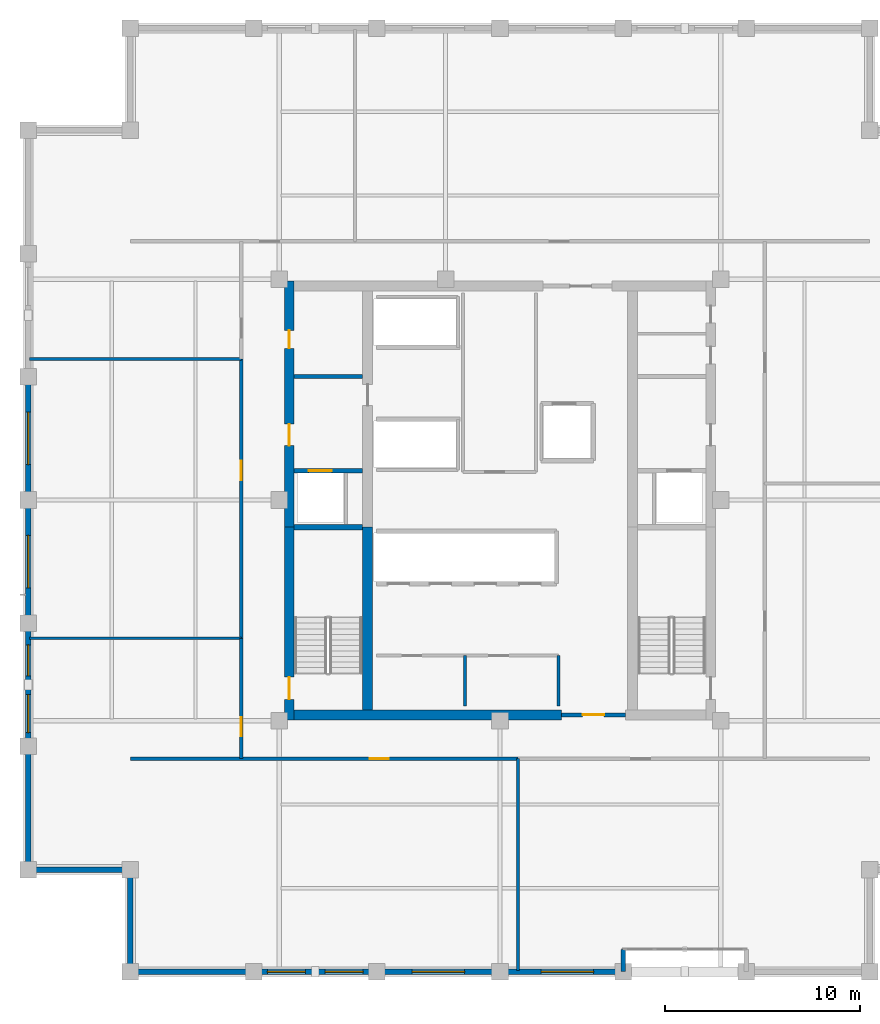
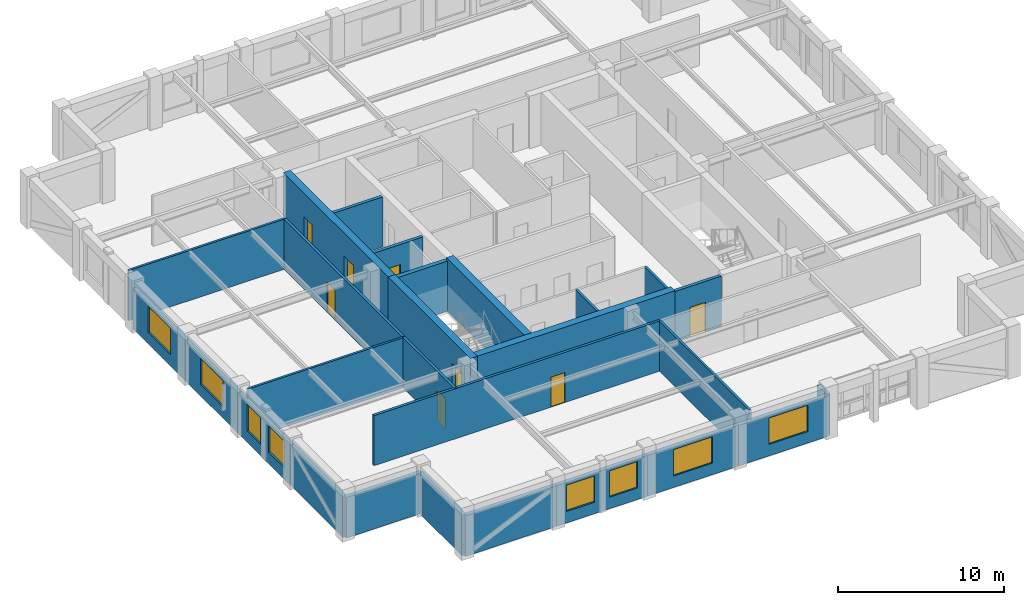
# One storey, part 9 of 13: 27 walls, 8 doors, 8 windows, 16 openings.
"""IFC4 building model written with IfcOpenShell, lengths in metres."""

import ifcopenshell
import ifcopenshell.guid

model = None  # the IFC model being written
_history = None  # IfcOwnerHistory: only IFC2X3 demands one
_inside = {}  # id of a spatial element -> (the spatial element, [elements in it])
_under = {}  # id of a project, library or spatial element -> (it, [spatial elements below it])
_declared = {}  # id of a project -> (the project, [libraries it declares])
_typed = {}  # id of a type object -> (the type object, [elements of that type])
_made_of = {}  # id of a material, layer set ... -> (it, [elements and type objects made of it])


def new_model(schema):
    """Start an empty IFC model of exactly this schema.

    Asked for "IFC4X3", IfcOpenShell would pick the latest addendum, in which some entities
    have other attributes; the version numbers below select the first issue.
    IFC2X3 requires an IfcOwnerHistory on every rooted entity: one is made here for all.
    """
    global model, _history
    if schema == "IFC4X3":
        model = ifcopenshell.file(schema_version=(4, 3, 0, 0))
    else:
        model = ifcopenshell.file(schema=schema)
    _inside.clear()
    _under.clear()
    _declared.clear()
    _typed.clear()
    _made_of.clear()
    _history = None
    if model.schema == "IFC2X3":
        org = make("IfcOrganization", Name="unknown")
        user = make(
            "IfcPersonAndOrganization",
            ThePerson=make("IfcPerson", FamilyName="unknown"),
            TheOrganization=org,
        )
        app = make(
            "IfcApplication",
            ApplicationDeveloper=org,
            Version="unknown",
            ApplicationFullName="unknown",
            ApplicationIdentifier="unknown",
        )
        _history = make(
            "IfcOwnerHistory",
            OwningUser=user,
            OwningApplication=app,
            ChangeAction="ADDED",
            CreationDate=0,
        )
    return model


def make(cls, **values):
    """One entity of the class cls with the attributes given. An attribute that is None is left unset."""
    return model.create_entity(
        cls, **{name: value for name, value in values.items() if value is not None}
    )


def rooted(cls, **values):
    """An entity with a GlobalId (a new one), such as an element, a storey or a relation."""
    return make(cls, GlobalId=ifcopenshell.guid.new(), OwnerHistory=_history, **values)


def si_unit(unit_type, name, prefix=None):
    """IfcSIUnit, for example si_unit("LENGTHUNIT", "METRE", prefix="MILLI")."""
    return make("IfcSIUnit", UnitType=unit_type, Prefix=prefix, Name=name)


def assignment(units):
    """IfcUnitAssignment: the units of a project."""
    return None if units is None else make("IfcUnitAssignment", Units=units)


def point(xyz):
    """IfcCartesianPoint."""
    return None if xyz is None else make("IfcCartesianPoint", Coordinates=xyz)


def direction(xyz):
    """IfcDirection."""
    return None if xyz is None else make("IfcDirection", DirectionRatios=xyz)


def frame(location, z_axis=None, x_axis=None):
    """IfcAxis2Placement3D, a coordinate frame: its origin and axes. An axis left out is left unset."""
    return make(
        "IfcAxis2Placement3D",
        Location=point(location),
        Axis=direction(z_axis),
        RefDirection=direction(x_axis),
    )


def frame_2d(location, x_axis=None):
    """IfcAxis2Placement2D, a coordinate frame in the plane: its origin and x axis."""
    return make(
        "IfcAxis2Placement2D", Location=point(location), RefDirection=direction(x_axis)
    )


def origin():
    """The frame at (0, 0, 0) with its axes left unset."""
    return frame((0.0, 0.0, 0.0))


def place(relative_to, where):
    """IfcLocalPlacement: puts the frame where relative to a parent placement (None: the world)."""
    return make(
        "IfcLocalPlacement", PlacementRelTo=relative_to, RelativePlacement=where
    )


def context(
    kind, dimensions, precision=None, world=None, true_north=None, identifier=None
):
    """IfcGeometricRepresentationContext, for example the 3D "Model" context."""
    return make(
        "IfcGeometricRepresentationContext",
        ContextIdentifier=identifier,
        ContextType=kind,
        CoordinateSpaceDimension=dimensions,
        Precision=precision,
        WorldCoordinateSystem=world,
        TrueNorth=true_north,
    )


def subcontext(parent, identifier, kind, view, scale=None):
    """IfcGeometricRepresentationSubContext, for example "Body" below "Model"."""
    return make(
        "IfcGeometricRepresentationSubContext",
        ContextIdentifier=identifier,
        ContextType=kind,
        ParentContext=parent,
        TargetScale=scale,
        TargetView=view,
    )


def project(units=None, contexts=None):
    """IfcProject with its units and contexts."""
    return rooted(
        "IfcProject",
        Name="project",
        RepresentationContexts=contexts,
        UnitsInContext=assignment(units),
    )


def spatial(cls, under=None, at=None, **own):
    """A site, building, storey or space (cls), placed at a placement, below another one or the project."""
    s = rooted(cls, ObjectPlacement=at, **own)
    if under is not None:
        _under.setdefault(under.id(), (under, []))[1].append(s)
    return s


def profile(cls, at=None, kind="AREA", **sizes):
    """A parametric profile (cls). Its sizes go by their IFC names, for example OverallWidth=200.0."""
    return make(cls, ProfileType=kind, Position=at, **sizes)


def rectangle(**sizes):
    """IfcRectangleProfileDef."""
    return profile("IfcRectangleProfileDef", **sizes)


def extrude(swept, where, along, depth):
    """IfcExtrudedAreaSolid: the profile swept, set in the frame where, extruded along a direction by depth."""
    return make(
        "IfcExtrudedAreaSolid",
        SweptArea=swept,
        Position=where,
        ExtrudedDirection=direction(along),
        Depth=depth,
    )


def shape(context_of_items, identifier, shape_type, items):
    """IfcShapeRepresentation: the items that make up one representation, for example the "Body"."""
    return make(
        "IfcShapeRepresentation",
        ContextOfItems=context_of_items,
        RepresentationIdentifier=identifier,
        RepresentationType=shape_type,
        Items=items,
    )


def material(Name=None, Category=None):
    """IfcMaterial."""
    return make("IfcMaterial", Name=Name, Category=Category)


def layer(
    of_material, thickness, ventilated=None, Name=None, Category=None, Priority=None
):
    """IfcMaterialLayer: one layer of a wall or slab, of a material (None: an air gap)."""
    return make(
        "IfcMaterialLayer",
        Material=of_material,
        LayerThickness=thickness,
        IsVentilated=ventilated,
        Name=Name,
        Category=Category,
        Priority=Priority,
    )


def layer_set(layers, Name=None):
    """IfcMaterialLayerSet."""
    return make("IfcMaterialLayerSet", MaterialLayers=layers, LayerSetName=Name)


def made_of(thing, what):
    """Note that an element or type object is made of a material, layer set ...; save() writes the relation."""
    if what is not None:
        _made_of.setdefault(what.id(), (what, []))[1].append(thing)
    return thing


def type_object(cls, material=None, **own):
    """A type object (cls), such as IfcWallType, which elements share."""
    return made_of(rooted(cls, **own), material)


def element(
    cls,
    number,
    at=None,
    inside=None,
    cuts=None,
    type_object=None,
    material=None,
    context=None,
    identifier="Body",
    shape_type=None,
    held_by="IfcProductDefinitionShape",
    body=None,
    shapes=None,
    **own,
):
    """One element of the class cls, such as IfcWall. Its Tag is "e" and its number.

    at: its placement. inside: the storey or other place that contains it. cuts: it is an
    opening in that element (IfcRelVoidsElement). A single representation is given by context,
    identifier, shape_type and body (its items); several are given by shapes. held_by: the class
    of the entity that holds the representations. save() writes the other relations.
    """
    e = rooted(cls, Tag="e%d" % number, ObjectPlacement=at, **own)
    if body is not None:
        shapes = [shape(context, identifier, shape_type, body)]
    if shapes is not None:
        e.Representation = make(held_by, Representations=shapes)
    if inside is not None:
        _inside.setdefault(inside.id(), (inside, []))[1].append(e)
    if cuts is not None:
        rooted(
            "IfcRelVoidsElement", RelatingBuildingElement=cuts, RelatedOpeningElement=e
        )
    if type_object is not None:
        _typed.setdefault(type_object.id(), (type_object, []))[1].append(e)
    return made_of(e, material)


def fill(opening, filler):
    """IfcRelFillsElement: the door or window that sits in an opening."""
    return rooted(
        "IfcRelFillsElement",
        RelatingOpeningElement=opening,
        RelatedBuildingElement=filler,
    )


def aggregate(whole, parts):
    """IfcRelAggregates: a whole, such as a stair, and the parts it consists of."""
    return rooted("IfcRelAggregates", RelatingObject=whole, RelatedObjects=parts)


def save(model, path):
    """Write the relations noted so far, then the file.

    IfcRelAggregates (storeys below a building ...), IfcRelContainedInSpatialStructure (elements
    in a storey), IfcRelDefinesByType, IfcRelAssociatesMaterial and IfcRelDeclares: one each for
    every whole, place, type object, material and project.
    """
    for whole, parts in _under.values():
        aggregate(whole, parts)
    for where, things in _inside.values():
        rooted(
            "IfcRelContainedInSpatialStructure",
            RelatedElements=things,
            RelatingStructure=where,
        )
    for kind, things in _typed.values():
        rooted("IfcRelDefinesByType", RelatedObjects=things, RelatingType=kind)
    for what, things in _made_of.values():
        rooted("IfcRelAssociatesMaterial", RelatedObjects=things, RelatingMaterial=what)
    for by, libraries in _declared.values():
        rooted("IfcRelDeclares", RelatingContext=by, RelatedDefinitions=libraries)
    model.write(path)


model = new_model("IFC4")

# Units and contexts
model_context = context("Model", 3, precision=1e-05, world=origin(), true_north=direction((0.0, 1.0)))
body_context = subcontext(model_context, "Body", "Model", "MODEL_VIEW")
ifc_project = project(units=[si_unit("LENGTHUNIT", "METRE"), si_unit("AREAUNIT", "SQUARE_METRE"), si_unit("VOLUMEUNIT", "CUBIC_METRE"), si_unit("PLANEANGLEUNIT", "RADIAN"), si_unit("MASSUNIT", "GRAM", prefix="KILO")], contexts=[model_context])

# Site, building, storey
site_placement = place(None, origin())
site = spatial("IfcSite", under=ifc_project, at=site_placement, CompositionType="ELEMENT")
building_placement = place(site_placement, origin())
building = spatial("IfcBuilding", under=site, at=building_placement, Name="Nhamokura Convention Tower", CompositionType="ELEMENT")
storey_placement = place(building_placement, frame((0.0, 0.0, 213.85009765625)))
storey = spatial("IfcBuildingStorey", under=building, at=storey_placement, Name="L52", CompositionType="ELEMENT", Elevation=213.85009765625)

# Walls
ifc_material_1 = material(Name="Bronze-pigmented precast concrete C45/55", Category="concrete")
ifc_layer_1 = layer(ifc_material_1, 0.280029296875)
ifc_layer_set_1 = layer_set([ifc_layer_1], Name="BronzePrecastSpandrel_280")
wall_type_1 = type_object("IfcWallType", Name="BronzePrecastSpandrel_280", PredefinedType="USERDEFINED", material=ifc_layer_set_1)
wall_1_placement = place(storey_placement, frame((38.333251953125, 7.75, 0.0), z_axis=(0.0, 0.0, 1.0), x_axis=(0.0, 1.0, 0.0)))
element("IfcWall", 1, at=wall_1_placement, inside=storey, type_object=wall_type_1, Name="L52 Scale Slot Cheek Wall SOUTHA", ObjectType="SPANDREL_WALL", PredefinedType="USERDEFINED", context=body_context, shape_type="SweptSolid", body=[
    extrude(rectangle(XDim=1.14990234375, YDim=0.239990234375, at=frame_2d((0.574951171875, 0.0))), origin(), (0.0, 0.0, 1.0), 2.98486328125),
])
wall_2_placement = place(storey_placement, frame((19.333251953125, 7.75, 0.0), z_axis=(0.0, 0.0, 1.0), x_axis=(-1.0, 0.0, 0.0)))
element("IfcWall", 2, at=wall_2_placement, inside=storey, type_object=wall_type_1, Name="L52 Braced-Bay Precast Wall SOUTH 0", ObjectType="SPANDREL_WALL", PredefinedType="USERDEFINED", context=body_context, shape_type="SweptSolid", body=[
    extrude(rectangle(XDim=6.333251953125, YDim=0.280029296875, at=frame_2d((3.16650390625, 0.0))), origin(), (0.0, 0.0, 1.0), 2.98486328125),
])

# Wall, openings, windows
wall_3_placement = place(storey_placement, frame((25.666748046875, 7.75, 0.0), z_axis=(0.0, 0.0, 1.0), x_axis=(-1.0, 0.0, 0.0)))
wall_3 = element("IfcWall", 3, at=wall_3_placement, inside=storey, type_object=wall_type_1, Name="L52 Masonry-Frame Wall SOUTH 1", ObjectType="SPANDREL_WALL", PredefinedType="USERDEFINED", context=body_context, shape_type="SweptSolid", body=[
    extrude(rectangle(XDim=6.33349609375, YDim=0.280029296875, at=frame_2d((3.166748046875, 0.0))), origin(), (0.0, 0.0, 1.0), 2.98486328125),
])
opening_1_placement = place(wall_3_placement, frame((0.708251953125, 0.0, 0.85009765625)))
opening_1 = element("IfcOpeningElement", 4, at=opening_1_placement, cuts=wall_3, Name="Opening W-08", PredefinedType="OPENING", context=body_context, shape_type="SweptSolid", body=[
    extrude(rectangle(XDim=1.949951171875, YDim=1.93505859375, at=frame_2d((0.97509765625, 0.967529296875))), frame((0.0, 0.14990234375, 0.0), z_axis=(0.0, -1.0, 0.0), x_axis=(1.0, 0.0, 0.0)), (0.0, 0.0, 1.0), 0.300048828125),
])
opening_2_placement = place(wall_3_placement, frame((3.675048828125, 0.0, 0.85009765625)))
opening_2 = element("IfcOpeningElement", 5, at=opening_2_placement, cuts=wall_3, Name="Opening W-08", PredefinedType="OPENING", context=body_context, shape_type="SweptSolid", body=[
    extrude(rectangle(XDim=1.949951171875, YDim=1.93505859375, at=frame_2d((0.97509765625, 0.967529296875))), frame((0.0, 0.14990234375, 0.0), z_axis=(0.0, -1.0, 0.0), x_axis=(1.0, 0.0, 0.0)), (0.0, 0.0, 1.0), 0.300048828125),
])
ifc_material_2 = material(Name="Solar-control bronze low-E double glass", Category="glass")
window_type_1 = type_object("IfcWindowType", Name="OfficeModuleWindow_Z3_1950", PartitioningType="SINGLE_PANEL", PredefinedType="WINDOW", material=ifc_material_2)
window_1_placement = place(opening_1_placement, origin())
window_1 = element("IfcWindow", 6, at=window_1_placement, inside=storey, type_object=window_type_1, Name="L52 Facade Window SOUTH 1-1", OverallHeight=1.93505859375, OverallWidth=1.949951171875, PartitioningType="SINGLE_PANEL", PredefinedType="WINDOW", context=body_context, shape_type="SweptSolid", body=[
    extrude(rectangle(XDim=1.949951171875, YDim=1.93505859375, at=frame_2d((0.97509765625, 0.967529296875))), frame((0.0, 0.030029296875, 0.0), z_axis=(0.0, -1.0, 0.0), x_axis=(1.0, 0.0, 0.0)), (0.0, 0.0, 1.0), 0.06005859375),
])
fill(opening_1, window_1)
window_2_placement = place(opening_2_placement, origin())
window_2 = element("IfcWindow", 7, at=window_2_placement, inside=storey, type_object=window_type_1, Name="L52 Facade Window SOUTH 1-2", OverallHeight=1.93505859375, OverallWidth=1.949951171875, PartitioningType="SINGLE_PANEL", PredefinedType="WINDOW", context=body_context, shape_type="SweptSolid", body=[
    extrude(rectangle(XDim=1.949951171875, YDim=1.93505859375, at=frame_2d((0.97509765625, 0.967529296875))), frame((0.0, 0.030029296875, 0.0), z_axis=(0.0, -1.0, 0.0), x_axis=(1.0, 0.0, 0.0)), (0.0, 0.0, 1.0), 0.06005859375),
])
fill(opening_2, window_2)

# Wall, opening, window
wall_4_placement = place(storey_placement, frame((32.0, 7.75, 0.0), z_axis=(0.0, 0.0, 1.0), x_axis=(-1.0, 0.0, 0.0)))
wall_4 = element("IfcWall", 8, at=wall_4_placement, inside=storey, type_object=wall_type_1, Name="L52 Masonry-Frame Wall SOUTH 2", ObjectType="SPANDREL_WALL", PredefinedType="USERDEFINED", context=body_context, shape_type="SweptSolid", body=[
    extrude(rectangle(XDim=6.333251953125, YDim=0.280029296875, at=frame_2d((3.16650390625, 0.0))), origin(), (0.0, 0.0, 1.0), 2.98486328125),
])
opening_3_placement = place(wall_4_placement, frame((1.816650390625, 0.0, 0.85009765625)))
opening_3 = element("IfcOpeningElement", 9, at=opening_3_placement, cuts=wall_4, Name="Opening W-07", PredefinedType="OPENING", context=body_context, shape_type="SweptSolid", body=[
    extrude(rectangle(XDim=2.699951171875, YDim=1.93505859375, at=frame_2d((1.35009765625, 0.967529296875))), frame((0.0, 0.14990234375, 0.0), z_axis=(0.0, -1.0, 0.0), x_axis=(1.0, 0.0, 0.0)), (0.0, 0.0, 1.0), 0.300048828125),
])
ifc_material_3 = material(Name="Solar-control bronze low-E double glass", Category="glass")
window_type_2 = type_object("IfcWindowType", Name="OfficeModuleWindow_Z3_2700", PartitioningType="DOUBLE_PANEL_VERTICAL", PredefinedType="WINDOW", material=ifc_material_3)
window_3_placement = place(opening_3_placement, origin())
window_3 = element("IfcWindow", 10, at=window_3_placement, inside=storey, type_object=window_type_2, Name="L52 Facade Window SOUTH 2", OverallHeight=1.93505859375, OverallWidth=2.699951171875, PartitioningType="SINGLE_PANEL", PredefinedType="WINDOW", context=body_context, shape_type="SweptSolid", body=[
    extrude(rectangle(XDim=2.699951171875, YDim=1.93505859375, at=frame_2d((1.35009765625, 0.967529296875))), frame((0.0, 0.030029296875, 0.0), z_axis=(0.0, -1.0, 0.0), x_axis=(1.0, 0.0, 0.0)), (0.0, 0.0, 1.0), 0.06005859375),
])
fill(opening_3, window_3)

wall_5_placement = place(storey_placement, frame((38.333251953125, 7.75, 0.0), z_axis=(0.0, 0.0, 1.0), x_axis=(-1.0, 0.0, 0.0)))
wall_5 = element("IfcWall", 11, at=wall_5_placement, inside=storey, type_object=wall_type_1, Name="L52 Masonry-Frame Wall SOUTH 3", ObjectType="SPANDREL_WALL", PredefinedType="USERDEFINED", context=body_context, shape_type="SweptSolid", body=[
    extrude(rectangle(XDim=6.333251953125, YDim=0.280029296875, at=frame_2d((3.16650390625, 0.0))), origin(), (0.0, 0.0, 1.0), 2.98486328125),
])
opening_4_placement = place(wall_5_placement, frame((1.5166015625, 0.0, 0.85009765625)))
opening_4 = element("IfcOpeningElement", 12, at=opening_4_placement, cuts=wall_5, Name="Opening W-07", PredefinedType="OPENING", context=body_context, shape_type="SweptSolid", body=[
    extrude(rectangle(XDim=2.699951171875, YDim=1.93505859375, at=frame_2d((1.35009765625, 0.967529296875))), frame((0.0, 0.14990234375, 0.0), z_axis=(0.0, -1.0, 0.0), x_axis=(1.0, 0.0, 0.0)), (0.0, 0.0, 1.0), 0.300048828125),
])
window_4_placement = place(opening_4_placement, origin())
window_4 = element("IfcWindow", 13, at=window_4_placement, inside=storey, type_object=window_type_2, Name="L52 Facade Window SOUTH 3", OverallHeight=1.93505859375, OverallWidth=2.699951171875, PartitioningType="SINGLE_PANEL", PredefinedType="WINDOW", context=body_context, shape_type="SweptSolid", body=[
    extrude(rectangle(XDim=2.699951171875, YDim=1.93505859375, at=frame_2d((1.35009765625, 0.967529296875))), frame((0.0, 0.030029296875, 0.0), z_axis=(0.0, -1.0, 0.0), x_axis=(1.0, 0.0, 0.0)), (0.0, 0.0, 1.0), 0.06005859375),
])
fill(opening_4, window_4)

# Wall
wall_6_placement = place(storey_placement, frame((7.75, 13.0, 0.0), z_axis=(0.0, 0.0, 1.0), x_axis=(0.0, 1.0, 0.0)))
element("IfcWall", 14, at=wall_6_placement, inside=storey, type_object=wall_type_1, Name="L52 Braced-Bay Precast Wall WEST 0", ObjectType="SPANDREL_WALL", PredefinedType="USERDEFINED", context=body_context, shape_type="SweptSolid", body=[
    extrude(rectangle(XDim=6.333251953125, YDim=0.280029296875, at=frame_2d((3.16650390625, 0.0))), origin(), (0.0, 0.0, 1.0), 2.98486328125),
])

# Wall, openings, windows
wall_7_placement = place(storey_placement, frame((7.75, 19.333251953125, 0.0), z_axis=(0.0, 0.0, 1.0), x_axis=(0.0, 1.0, 0.0)))
wall_7 = element("IfcWall", 15, at=wall_7_placement, inside=storey, type_object=wall_type_1, Name="L52 Masonry-Frame Wall WEST 1", ObjectType="SPANDREL_WALL", PredefinedType="USERDEFINED", context=body_context, shape_type="SweptSolid", body=[
    extrude(rectangle(XDim=6.33349609375, YDim=0.280029296875, at=frame_2d((3.166748046875, 0.0))), origin(), (0.0, 0.0, 1.0), 2.98486328125),
])
opening_5_placement = place(wall_7_placement, frame((0.708251953125, 0.0, 0.85009765625)))
opening_5 = element("IfcOpeningElement", 16, at=opening_5_placement, cuts=wall_7, Name="Opening W-08", PredefinedType="OPENING", context=body_context, shape_type="SweptSolid", body=[
    extrude(rectangle(XDim=1.949951171875, YDim=1.93505859375, at=frame_2d((0.97509765625, 0.967529296875))), frame((0.0, 0.14990234375, 0.0), z_axis=(0.0, -1.0, 0.0), x_axis=(1.0, 0.0, 0.0)), (0.0, 0.0, 1.0), 0.300048828125),
])
opening_6_placement = place(wall_7_placement, frame((3.625, 0.0, 0.85009765625)))
opening_6 = element("IfcOpeningElement", 17, at=opening_6_placement, cuts=wall_7, Name="Opening W-11", PredefinedType="OPENING", context=body_context, shape_type="SweptSolid", body=[
    extrude(rectangle(XDim=1.60009765625, YDim=1.93505859375, at=frame_2d((0.800048828125, 0.967529296875))), frame((0.0, 0.14990234375, 0.0), z_axis=(0.0, -1.0, 0.0), x_axis=(1.0, 0.0, 0.0)), (0.0, 0.0, 1.0), 0.300048828125),
])
ifc_material_4 = material(Name="Solar-control bronze low-E double glass", Category="glass")
window_type_3 = type_object("IfcWindowType", Name="NotchCornerWindow_1600", PartitioningType="SINGLE_PANEL", PredefinedType="WINDOW", material=ifc_material_4)
window_5_placement = place(opening_6_placement, origin())
window_5 = element("IfcWindow", 18, at=window_5_placement, inside=storey, type_object=window_type_3, Name="L52 Facade Window WEST 1-2", OverallHeight=1.93505859375, OverallWidth=1.60009765625, PartitioningType="SINGLE_PANEL", PredefinedType="WINDOW", context=body_context, shape_type="SweptSolid", body=[
    extrude(rectangle(XDim=1.60009765625, YDim=1.93505859375, at=frame_2d((0.800048828125, 0.967529296875))), frame((0.0, 0.030029296875, 0.0), z_axis=(0.0, -1.0, 0.0), x_axis=(1.0, 0.0, 0.0)), (0.0, 0.0, 1.0), 0.06005859375),
])
fill(opening_6, window_5)
window_6_placement = place(opening_5_placement, origin())
window_6 = element("IfcWindow", 19, at=window_6_placement, inside=storey, type_object=window_type_1, Name="L52 Facade Window WEST 1-1", OverallHeight=1.93505859375, OverallWidth=1.949951171875, PartitioningType="SINGLE_PANEL", PredefinedType="WINDOW", context=body_context, shape_type="SweptSolid", body=[
    extrude(rectangle(XDim=1.949951171875, YDim=1.93505859375, at=frame_2d((0.97509765625, 0.967529296875))), frame((0.0, 0.030029296875, 0.0), z_axis=(0.0, -1.0, 0.0), x_axis=(1.0, 0.0, 0.0)), (0.0, 0.0, 1.0), 0.06005859375),
])
fill(opening_5, window_6)

# Wall, opening, window
wall_8_placement = place(storey_placement, frame((7.75, 25.666748046875, 0.0), z_axis=(0.0, 0.0, 1.0), x_axis=(0.0, 1.0, 0.0)))
wall_8 = element("IfcWall", 20, at=wall_8_placement, inside=storey, type_object=wall_type_1, Name="L52 Masonry-Frame Wall WEST 2", ObjectType="SPANDREL_WALL", PredefinedType="USERDEFINED", context=body_context, shape_type="SweptSolid", body=[
    extrude(rectangle(XDim=6.333251953125, YDim=0.280029296875, at=frame_2d((3.16650390625, 0.0))), origin(), (0.0, 0.0, 1.0), 2.98486328125),
])
opening_7_placement = place(wall_8_placement, frame((1.816650390625, 0.0, 0.85009765625)))
opening_7 = element("IfcOpeningElement", 21, at=opening_7_placement, cuts=wall_8, Name="Opening W-07", PredefinedType="OPENING", context=body_context, shape_type="SweptSolid", body=[
    extrude(rectangle(XDim=2.699951171875, YDim=1.93505859375, at=frame_2d((1.35009765625, 0.967529296875))), frame((0.0, 0.14990234375, 0.0), z_axis=(0.0, -1.0, 0.0), x_axis=(1.0, 0.0, 0.0)), (0.0, 0.0, 1.0), 0.300048828125),
])
window_7_placement = place(opening_7_placement, origin())
window_7 = element("IfcWindow", 22, at=window_7_placement, inside=storey, type_object=window_type_2, Name="L52 Facade Window WEST 2", OverallHeight=1.93505859375, OverallWidth=2.699951171875, PartitioningType="SINGLE_PANEL", PredefinedType="WINDOW", context=body_context, shape_type="SweptSolid", body=[
    extrude(rectangle(XDim=2.699951171875, YDim=1.93505859375, at=frame_2d((1.35009765625, 0.967529296875))), frame((0.0, 0.030029296875, 0.0), z_axis=(0.0, -1.0, 0.0), x_axis=(1.0, 0.0, 0.0)), (0.0, 0.0, 1.0), 0.06005859375),
])
fill(opening_7, window_7)

wall_9_placement = place(storey_placement, frame((7.75, 32.0, 0.0), z_axis=(0.0, 0.0, 1.0), x_axis=(0.0, 1.0, 0.0)))
wall_9 = element("IfcWall", 23, at=wall_9_placement, inside=storey, type_object=wall_type_1, Name="L52 Masonry-Frame Wall WEST 3", ObjectType="SPANDREL_WALL", PredefinedType="USERDEFINED", context=body_context, shape_type="SweptSolid", body=[
    extrude(rectangle(XDim=6.333251953125, YDim=0.280029296875, at=frame_2d((3.16650390625, 0.0))), origin(), (0.0, 0.0, 1.0), 2.98486328125),
])
opening_8_placement = place(wall_9_placement, frame((1.816650390625, 0.0, 0.85009765625)))
opening_8 = element("IfcOpeningElement", 24, at=opening_8_placement, cuts=wall_9, Name="Opening W-07", PredefinedType="OPENING", context=body_context, shape_type="SweptSolid", body=[
    extrude(rectangle(XDim=2.699951171875, YDim=1.93505859375, at=frame_2d((1.35009765625, 0.967529296875))), frame((0.0, 0.14990234375, 0.0), z_axis=(0.0, -1.0, 0.0), x_axis=(1.0, 0.0, 0.0)), (0.0, 0.0, 1.0), 0.300048828125),
])
window_8_placement = place(opening_8_placement, origin())
window_8 = element("IfcWindow", 25, at=window_8_placement, inside=storey, type_object=window_type_2, Name="L52 Facade Window WEST 3", OverallHeight=1.93505859375, OverallWidth=2.699951171875, PartitioningType="SINGLE_PANEL", PredefinedType="WINDOW", context=body_context, shape_type="SweptSolid", body=[
    extrude(rectangle(XDim=2.699951171875, YDim=1.93505859375, at=frame_2d((1.35009765625, 0.967529296875))), frame((0.0, 0.030029296875, 0.0), z_axis=(0.0, -1.0, 0.0), x_axis=(1.0, 0.0, 0.0)), (0.0, 0.0, 1.0), 0.06005859375),
])
fill(opening_8, window_8)

# Walls
for number, where, z_axis, x_axis, name in (
    (26, (13.0, 7.75, 0.0), (0.0, 0.0, 1.0), (0.0, 1.0, 0.0), "L52 Notched Corner Wall SW1"),
    (27, (13.0, 13.0, 0.0), (0.0, 0.0, 1.0), (-1.0, 0.0, 0.0), "L52 Notched Corner Wall SW2"),
):
    element("IfcWall", number, at=place(storey_placement, frame(where, z_axis=z_axis, x_axis=x_axis)), inside=storey, type_object=wall_type_1, Name=name, ObjectType="SPANDREL_WALL", PredefinedType="USERDEFINED", context=body_context, shape_type="SweptSolid", body=[
        extrude(rectangle(XDim=5.25, YDim=0.280029296875, at=frame_2d((2.625, 0.0))), origin(), (0.0, 0.0, 1.0), 2.98486328125),
    ])

# Wall, opening, door
ifc_material_5 = material(Name="Concrete C60/75", Category="concrete")
ifc_layer_2 = layer(ifc_material_5, 0.5)
ifc_layer_set_2 = layer_set([ifc_layer_2], Name="CoreShearWall_500")
wall_type_2 = type_object("IfcWallType", Name="CoreShearWall_500", PredefinedType="SHEAR", material=ifc_layer_set_2)
wall_10_placement = place(storey_placement, frame((21.159912109375, 20.699951171875, 0.0), z_axis=(0.0, 0.0, 1.0), x_axis=(0.0, 1.0, 0.0)))
wall_10 = element("IfcWall", 28, at=wall_10_placement, inside=storey, type_object=wall_type_2, Name="L52 Core Shear Wall CW-WS", PredefinedType="SHEAR", context=body_context, shape_type="SweptSolid", body=[
    extrude(rectangle(XDim=9.900146484375, YDim=0.5, at=frame_2d((4.9501953125, 0.0))), origin(), (0.0, 0.0, 1.0), 3.849853515625),
])
opening_9_placement = place(wall_10_placement, frame((1.050048828125, 0.0, 0.0)))
opening_9 = element("IfcOpeningElement", 29, at=opening_9_placement, cuts=wall_10, Name="Opening D-04", PredefinedType="OPENING", context=body_context, shape_type="SweptSolid", body=[
    extrude(rectangle(XDim=1.14990234375, YDim=2.14990234375, at=frame_2d((0.574951171875, 1.074951171875))), frame((0.0, 0.260009765625, 0.0), z_axis=(0.0, -1.0, 0.0), x_axis=(1.0, 0.0, 0.0)), (0.0, 0.0, 1.0), 0.52001953125),
])
ifc_material_6 = material(Name="Fire-rated steel door", Category="steel")
door_type_1 = type_object("IfcDoorType", Name="StairSmokeDoor_1150", OperationType="NOTDEFINED", PredefinedType="DOOR", material=ifc_material_6)
door_1_placement = place(opening_9_placement, origin())
door_1 = element("IfcDoor", 30, at=door_1_placement, inside=storey, type_object=door_type_1, Name="L52 Core Door INT-L52-D-ST01", OperationType="SINGLE_SWING_LEFT", OverallHeight=2.14990234375, OverallWidth=1.14990234375, PredefinedType="DOOR", context=body_context, shape_type="SweptSolid", body=[
    extrude(rectangle(XDim=1.14990234375, YDim=2.14990234375, at=frame_2d((0.574951171875, 1.074951171875))), frame((0.0, 0.02490234375, 0.0), z_axis=(0.0, -1.0, 0.0), x_axis=(1.0, 0.0, 0.0)), (0.0, 0.0, 1.0), 0.050048828125),
])
fill(opening_9, door_1)

# Wall, openings, doors
wall_11_placement = place(storey_placement, frame((21.159912109375, 30.60009765625, 0.0), z_axis=(0.0, 0.0, 1.0), x_axis=(0.0, 1.0, 0.0)))
wall_11 = element("IfcWall", 31, at=wall_11_placement, inside=storey, type_object=wall_type_2, Name="L52 Core Shear Wall CW-WN", PredefinedType="SHEAR", context=body_context, shape_type="SweptSolid", body=[
    extrude(rectangle(XDim=12.64990234375, YDim=0.5, at=frame_2d((6.324951171875, 0.0))), origin(), (0.0, 0.0, 1.0), 3.849853515625),
])
opening_10_placement = place(wall_11_placement, frame((4.199951171875, 0.0, 0.0)))
opening_10 = element("IfcOpeningElement", 32, at=opening_10_placement, cuts=wall_11, Name="Opening D-05", PredefinedType="OPENING", context=body_context, shape_type="SweptSolid", body=[
    extrude(rectangle(XDim=1.10009765625, YDim=2.14990234375, at=frame_2d((0.550048828125, 1.074951171875))), frame((0.0, 0.260009765625, 0.0), z_axis=(0.0, -1.0, 0.0), x_axis=(1.0, 0.0, 0.0)), (0.0, 0.0, 1.0), 0.52001953125),
])
opening_11_placement = place(wall_11_placement, frame((9.199951171875, 0.0, 0.0)))
opening_11 = element("IfcOpeningElement", 33, at=opening_11_placement, cuts=wall_11, Name="Opening D-10", PredefinedType="OPENING", context=body_context, shape_type="SweptSolid", body=[
    extrude(rectangle(XDim=0.919921875, YDim=2.10009765625, at=frame_2d((0.4599609375, 1.050048828125))), frame((0.0, 0.260009765625, 0.0), z_axis=(0.0, -1.0, 0.0), x_axis=(1.0, 0.0, 0.0)), (0.0, 0.0, 1.0), 0.52001953125),
])
ifc_material_7 = material(Name="Solid oak hardwood", Category="wood")
door_type_2 = type_object("IfcDoorType", Name="AccessibleWCDoor_920", OperationType="NOTDEFINED", PredefinedType="DOOR", material=ifc_material_7)
door_2_placement = place(opening_11_placement, origin())
door_2 = element("IfcDoor", 34, at=door_2_placement, inside=storey, type_object=door_type_2, Name="L52 Core Door INT-L52-D-AWC", OperationType="SINGLE_SWING_LEFT", OverallHeight=2.10009765625, OverallWidth=0.919921875, PredefinedType="DOOR", context=body_context, shape_type="SweptSolid", body=[
    extrude(rectangle(XDim=0.919921875, YDim=2.10009765625, at=frame_2d((0.4599609375, 1.050048828125))), frame((0.0, 0.02490234375, 0.0), z_axis=(0.0, -1.0, 0.0), x_axis=(1.0, 0.0, 0.0)), (0.0, 0.0, 1.0), 0.050048828125),
])
fill(opening_11, door_2)
ifc_material_8 = material(Name="Fire-rated steel door", Category="steel")
door_type_3 = type_object("IfcDoorType", Name="FireLobbyDoor_1100", OperationType="NOTDEFINED", PredefinedType="DOOR", material=ifc_material_8)
door_3_placement = place(opening_10_placement, origin())
door_3 = element("IfcDoor", 35, at=door_3_placement, inside=storey, type_object=door_type_3, Name="L52 Core Door INT-L52-D-FFLW", OperationType="SINGLE_SWING_RIGHT", OverallHeight=2.14990234375, OverallWidth=1.10009765625, PredefinedType="DOOR", context=body_context, shape_type="SweptSolid", body=[
    extrude(rectangle(XDim=1.10009765625, YDim=2.14990234375, at=frame_2d((0.550048828125, 1.074951171875))), frame((0.0, 0.02490234375, 0.0), z_axis=(0.0, -1.0, 0.0), x_axis=(1.0, 0.0, 0.0)), (0.0, 0.0, 1.0), 0.050048828125),
])
fill(opening_10, door_3)

# Walls
wall_12_placement = place(storey_placement, frame((21.409912109375, 20.949951171875, 0.0), z_axis=(0.0, 0.0, 1.0), x_axis=(1.0, 0.0, 0.0)))
element("IfcWall", 36, at=wall_12_placement, inside=storey, type_object=wall_type_2, Name="L52 Core Shear Wall CW-S1", PredefinedType="SHEAR", context=body_context, shape_type="SweptSolid", body=[
    extrude(rectangle(XDim=13.739990234375, YDim=0.5, at=frame_2d((6.8701171875, 0.0))), origin(), (0.0, 0.0, 1.0), 3.849853515625),
])
wall_13_placement = place(storey_placement, frame((25.18994140625, 21.199951171875, 0.0), z_axis=(0.0, 0.0, 1.0), x_axis=(0.0, 1.0, 0.0)))
element("IfcWall", 37, at=wall_13_placement, inside=storey, type_object=wall_type_2, Name="L52 Core Shear Wall CW-IWS", PredefinedType="SHEAR", context=body_context, shape_type="SweptSolid", body=[
    extrude(rectangle(XDim=9.400146484375, YDim=0.5, at=frame_2d((4.7001953125, 0.0))), origin(), (0.0, 0.0, 1.0), 3.849853515625),
])

# Wall, opening, door
ifc_material_9 = material(Name="Fire-rated gypsum and masonry partition", Category="masonry")
ifc_layer_3 = layer(ifc_material_9, 0.179931640625)
ifc_layer_set_3 = layer_set([ifc_layer_3], Name="CorridorRatedWall_180")
wall_type_3 = type_object("IfcWallType", Name="CorridorRatedWall_180", PredefinedType="STANDARD", material=ifc_layer_set_3)
wall_14_placement = place(storey_placement, frame((13.0, 18.699951171875, 0.0), z_axis=(0.0, 0.0, 1.0), x_axis=(1.0, 0.0, 0.0)))
wall_14 = element("IfcWall", 38, at=wall_14_placement, inside=storey, type_object=wall_type_3, Name="L52 Wall INT-L52-CW-S00", PredefinedType="STANDARD", context=body_context, shape_type="SweptSolid", body=[
    extrude(rectangle(XDim=19.925048828125, YDim=0.179931640625, at=frame_2d((9.96240234375, 0.0))), origin(), (0.0, 0.0, 1.0), 3.684814453125),
])
opening_12_placement = place(wall_14_placement, frame((12.3125, 0.0, 0.0)))
opening_12 = element("IfcOpeningElement", 39, at=opening_12_placement, cuts=wall_14, Name="Opening D-08", PredefinedType="OPENING", context=body_context, shape_type="SweptSolid", body=[
    extrude(rectangle(XDim=0.97998046875, YDim=2.199951171875, at=frame_2d((0.489990234375, 1.10009765625))), frame((0.0, 0.099853515625, 0.0), z_axis=(0.0, -1.0, 0.0), x_axis=(1.0, 0.0, 0.0)), (0.0, 0.0, 1.0), 0.199951171875),
])
ifc_material_10 = material(Name="Solid oak hardwood", Category="wood")
door_type_4 = type_object("IfcDoorType", Name="OfficeEntryDoor_980", OperationType="NOTDEFINED", PredefinedType="DOOR", material=ifc_material_10)
door_4_placement = place(opening_12_placement, origin())
door_4 = element("IfcDoor", 40, at=door_4_placement, inside=storey, type_object=door_type_4, Name="L52 Design Studio S01 Door", OperationType="SINGLE_SWING_LEFT", OverallHeight=2.199951171875, OverallWidth=0.97998046875, PredefinedType="DOOR", context=body_context, shape_type="SweptSolid", body=[
    extrude(rectangle(XDim=0.97998046875, YDim=2.199951171875, at=frame_2d((0.489990234375, 1.10009765625))), frame((0.0, 0.02490234375, 0.0), z_axis=(0.0, -1.0, 0.0), x_axis=(1.0, 0.0, 0.0)), (0.0, 0.0, 1.0), 0.050048828125),
])
fill(opening_12, door_4)

wall_15_placement = place(storey_placement, frame((18.699951171875, 18.699951171875, 0.0), z_axis=(0.0, 0.0, 1.0), x_axis=(0.0, 1.0, 0.0)))
wall_15 = element("IfcWall", 41, at=wall_15_placement, inside=storey, type_object=wall_type_3, Name="L52 Wall INT-L52-CW-W00", PredefinedType="STANDARD", context=body_context, shape_type="SweptSolid", body=[
    extrude(rectangle(XDim=6.191650390625, YDim=0.179931640625, at=frame_2d((3.095703125, 0.0))), origin(), (0.0, 0.0, 1.0), 3.684814453125),
])
opening_13_placement = place(wall_15_placement, frame((1.14599609375, 0.0, 0.0)))
opening_13 = element("IfcOpeningElement", 42, at=opening_13_placement, cuts=wall_15, Name="Opening D-08", PredefinedType="OPENING", context=body_context, shape_type="SweptSolid", body=[
    extrude(rectangle(XDim=0.97998046875, YDim=2.199951171875, at=frame_2d((0.489990234375, 1.10009765625))), frame((0.0, 0.099853515625, 0.0), z_axis=(0.0, -1.0, 0.0), x_axis=(1.0, 0.0, 0.0)), (0.0, 0.0, 1.0), 0.199951171875),
])
door_5_placement = place(opening_13_placement, origin())
door_5 = element("IfcDoor", 43, at=door_5_placement, inside=storey, type_object=door_type_4, Name="L52 Materials Library W01 Door", OperationType="SINGLE_SWING_LEFT", OverallHeight=2.199951171875, OverallWidth=0.97998046875, PredefinedType="DOOR", context=body_context, shape_type="SweptSolid", body=[
    extrude(rectangle(XDim=0.97998046875, YDim=2.199951171875, at=frame_2d((0.489990234375, 1.10009765625))), frame((0.0, 0.02490234375, 0.0), z_axis=(0.0, -1.0, 0.0), x_axis=(1.0, 0.0, 0.0)), (0.0, 0.0, 1.0), 0.050048828125),
])
fill(opening_13, door_5)

wall_16_placement = place(storey_placement, frame((18.699951171875, 24.8916015625, 0.0), z_axis=(0.0, 0.0, 1.0), x_axis=(0.0, 1.0, 0.0)))
wall_16 = element("IfcWall", 44, at=wall_16_placement, inside=storey, type_object=wall_type_3, Name="L52 Wall INT-L52-CW-W01", PredefinedType="STANDARD", context=body_context, shape_type="SweptSolid", body=[
    extrude(rectangle(XDim=14.36669921875, YDim=0.179931640625, at=frame_2d((7.183349609375, 0.0))), origin(), (0.0, 0.0, 1.0), 3.684814453125),
])
opening_14_placement = place(wall_16_placement, frame((8.13330078125, 0.0, 0.0)))
opening_14 = element("IfcOpeningElement", 45, at=opening_14_placement, cuts=wall_16, Name="Opening D-08", PredefinedType="OPENING", context=body_context, shape_type="SweptSolid", body=[
    extrude(rectangle(XDim=0.97998046875, YDim=2.199951171875, at=frame_2d((0.489990234375, 1.10009765625))), frame((0.0, 0.099853515625, 0.0), z_axis=(0.0, -1.0, 0.0), x_axis=(1.0, 0.0, 0.0)), (0.0, 0.0, 1.0), 0.199951171875),
])
door_6_placement = place(opening_14_placement, origin())
door_6 = element("IfcDoor", 46, at=door_6_placement, inside=storey, type_object=door_type_4, Name="L52 Private Office W02 Door", OperationType="SINGLE_SWING_RIGHT", OverallHeight=2.199951171875, OverallWidth=0.97998046875, PredefinedType="DOOR", context=body_context, shape_type="SweptSolid", body=[
    extrude(rectangle(XDim=0.97998046875, YDim=2.199951171875, at=frame_2d((0.489990234375, 1.10009765625))), frame((0.0, 0.02490234375, 0.0), z_axis=(0.0, -1.0, 0.0), x_axis=(1.0, 0.0, 0.0)), (0.0, 0.0, 1.0), 0.050048828125),
])
fill(opening_14, door_6)

ifc_material_11 = material(Name="Autoclaved concrete blockwork", Category="masonry")
ifc_layer_4 = layer(ifc_material_11, 0.219970703125)
ifc_layer_set_4 = layer_set([ifc_layer_4], Name="FireLobbyWall_220")
wall_type_4 = type_object("IfcWallType", Name="FireLobbyWall_220", PredefinedType="STANDARD", material=ifc_layer_set_4)
wall_17_placement = place(storey_placement, frame((21.409912109375, 33.5, 0.0), z_axis=(0.0, 0.0, 1.0), x_axis=(1.0, 0.0, 0.0)))
wall_17 = element("IfcWall", 47, at=wall_17_placement, inside=storey, type_object=wall_type_4, Name="L52 Wall INT-L52-FFW-S", PredefinedType="STANDARD", context=body_context, shape_type="SweptSolid", body=[
    extrude(rectangle(XDim=3.530029296875, YDim=0.219970703125, at=frame_2d((1.76513671875, 0.0))), origin(), (0.0, 0.0, 1.0), 3.684814453125),
])
opening_15_placement = place(wall_17_placement, frame((0.75, 0.0, 0.0)))
opening_15 = element("IfcOpeningElement", 48, at=opening_15_placement, cuts=wall_17, Name="Opening LD-02", PredefinedType="OPENING", context=body_context, shape_type="SweptSolid", body=[
    extrude(rectangle(XDim=1.199951171875, YDim=2.199951171875, at=frame_2d((0.60009765625, 1.10009765625))), frame((0.0, 0.119873046875, 0.0), z_axis=(0.0, -1.0, 0.0), x_axis=(1.0, 0.0, 0.0)), (0.0, 0.0, 1.0), 0.239990234375),
])
ifc_material_12 = material(Name="Anodised bronze stainless steel", Category="steel")
door_type_5 = type_object("IfcDoorType", Name="LiftLandingDoor_FireService", OperationType="DOUBLE_DOOR_SLIDING", PredefinedType="DOOR", material=ifc_material_12)
door_7_placement = place(opening_15_placement, origin())
door_7 = element("IfcDoor", 49, at=door_7_placement, inside=storey, type_object=door_type_5, Name="L52 Firefighting Lift LF-01 Door", OperationType="DOUBLE_DOOR_SLIDING", OverallHeight=2.199951171875, OverallWidth=1.199951171875, PredefinedType="DOOR", context=body_context, shape_type="SweptSolid", body=[
    extrude(rectangle(XDim=1.199951171875, YDim=2.199951171875, at=frame_2d((0.60009765625, 1.10009765625))), frame((0.0, 0.02490234375, 0.0), z_axis=(0.0, -1.0, 0.0), x_axis=(1.0, 0.0, 0.0)), (0.0, 0.0, 1.0), 0.050048828125),
])
fill(opening_15, door_7)

# Wall
wall_18_placement = place(storey_placement, frame((21.409912109375, 38.35009765625, 0.0), z_axis=(0.0, 0.0, 1.0), x_axis=(1.0, 0.0, 0.0)))
element("IfcWall", 50, at=wall_18_placement, inside=storey, type_object=wall_type_4, Name="L52 Wall INT-L52-FFW-N", PredefinedType="STANDARD", context=body_context, shape_type="SweptSolid", body=[
    extrude(rectangle(XDim=3.530029296875, YDim=0.219970703125, at=frame_2d((1.76513671875, 0.0))), origin(), (0.0, 0.0, 1.0), 3.684814453125),
])

# Wall, opening, door
wall_19_placement = place(storey_placement, frame((35.14990234375, 20.949951171875, 0.0), z_axis=(0.0, 0.0, 1.0), x_axis=(1.0, 0.0, 0.0)))
wall_19 = element("IfcWall", 51, at=wall_19_placement, inside=storey, type_object=wall_type_4, Name="L52 Wall INT-L52-SPORT-S", PredefinedType="STANDARD", context=body_context, shape_type="SweptSolid", body=[
    extrude(rectangle(XDim=3.300048828125, YDim=0.219970703125, at=frame_2d((1.64990234375, 0.0))), origin(), (0.0, 0.0, 1.0), 3.684814453125),
])
opening_16_placement = place(wall_19_placement, frame((1.10009765625, 0.0, 0.0)))
opening_16 = element("IfcOpeningElement", 52, at=opening_16_placement, cuts=wall_19, Name="Opening D-05", PredefinedType="OPENING", context=body_context, shape_type="SweptSolid", body=[
    extrude(rectangle(XDim=1.10009765625, YDim=2.14990234375, at=frame_2d((0.550048828125, 1.074951171875))), frame((0.0, 0.119873046875, 0.0), z_axis=(0.0, -1.0, 0.0), x_axis=(1.0, 0.0, 0.0)), (0.0, 0.0, 1.0), 0.239990234375),
])
door_8_placement = place(opening_16_placement, origin())
door_8 = element("IfcDoor", 53, at=door_8_placement, inside=storey, type_object=door_type_3, Name="L52 South Core Lobby Portal Door", OperationType="SINGLE_SWING_LEFT", OverallHeight=2.14990234375, OverallWidth=1.10009765625, PredefinedType="DOOR", context=body_context, shape_type="SweptSolid", body=[
    extrude(rectangle(XDim=1.10009765625, YDim=2.14990234375, at=frame_2d((0.550048828125, 1.074951171875))), frame((0.0, 0.02490234375, 0.0), z_axis=(0.0, -1.0, 0.0), x_axis=(1.0, 0.0, 0.0)), (0.0, 0.0, 1.0), 0.050048828125),
])
fill(opening_16, door_8)

# Walls
ifc_material_13 = material(Name="Acoustic gypsum stud partition", Category="masonry")
ifc_layer_5 = layer(ifc_material_13, 0.14990234375)
ifc_layer_set_5 = layer_set([ifc_layer_5], Name="InteriorPartition_150")
wall_type_5 = type_object("IfcWallType", Name="InteriorPartition_150", PredefinedType="STANDARD", material=ifc_layer_set_5)
for number, where, z_axis, x_axis, name in (
    (54, (30.199951171875, 21.39990234375, 0.0), (0.0, 0.0, 1.0), (0.0, 1.0, 0.0), "L52 Wall INT-L52-B1R-M"),
    (55, (35.0, 21.39990234375, 0.0), (0.0, 0.0, 1.0), (0.0, 1.0, 0.0), "L52 Wall INT-L52-B1R-E"),
):
    element("IfcWall", number, at=place(storey_placement, frame(where, z_axis=z_axis, x_axis=x_axis)), inside=storey, type_object=wall_type_5, Name=name, PredefinedType="STANDARD", context=body_context, shape_type="SweptSolid", body=[
        extrude(rectangle(XDim=2.60009765625, YDim=0.14990234375, at=frame_2d((1.300048828125, 0.0))), origin(), (0.0, 0.0, 1.0), 3.684814453125),
    ])
for number, where, z_axis, x_axis, name in (
    (56, (32.925048828125, 7.81005859375, 0.0), (0.0, 0.0, 1.0), (0.0, 1.0, 0.0), "L52 Wall INT-L52-RW-S01"),
    (57, (7.81005859375, 24.8916015625, 0.0), (0.0, 0.0, 1.0), (1.0, 0.0, 0.0), "L52 Wall INT-L52-RW-W01"),
    (58, (7.81005859375, 39.25830078125, 0.0), (0.0, 0.0, 1.0), (1.0, 0.0, 0.0), "L52 Wall INT-L52-RW-W02"),
):
    element("IfcWall", number, at=place(storey_placement, frame(where, z_axis=z_axis, x_axis=x_axis)), inside=storey, type_object=wall_type_5, Name=name, PredefinedType="STANDARD", context=body_context, shape_type="SweptSolid", body=[
        extrude(rectangle(XDim=10.889892578125, YDim=0.14990234375, at=frame_2d((5.44482421875, 0.0))), origin(), (0.0, 0.0, 1.0), 3.684814453125),
    ])
ifc_material_14 = material(Name="Concrete C50/60", Category="concrete")
ifc_layer_6 = layer(ifc_material_14, 0.300048828125)
ifc_layer_set_6 = layer_set([ifc_layer_6], Name="ShaftEnclosureWall_300")
wall_type_6 = type_object("IfcWallType", Name="ShaftEnclosureWall_300", PredefinedType="SHEAR", material=ifc_layer_set_6)
wall_20_placement = place(storey_placement, frame((21.409912109375, 30.60009765625, 0.0), z_axis=(0.0, 0.0, 1.0), x_axis=(1.0, 0.0, 0.0)))
element("IfcWall", 59, at=wall_20_placement, inside=storey, type_object=wall_type_6, Name="L52 Wall INT-L52-ST01-N", PredefinedType="SHEAR", context=body_context, shape_type="SweptSolid", body=[
    extrude(rectangle(XDim=3.530029296875, YDim=0.300048828125, at=frame_2d((1.76513671875, 0.0))), origin(), (0.0, 0.0, 1.0), 3.684814453125),
])

save(model, "model.ifc")
